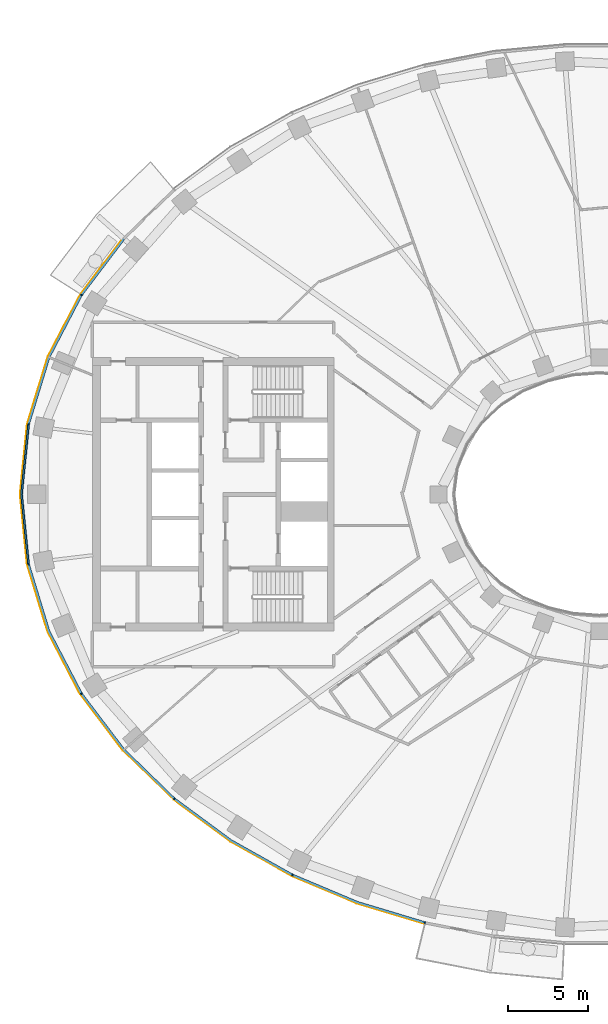
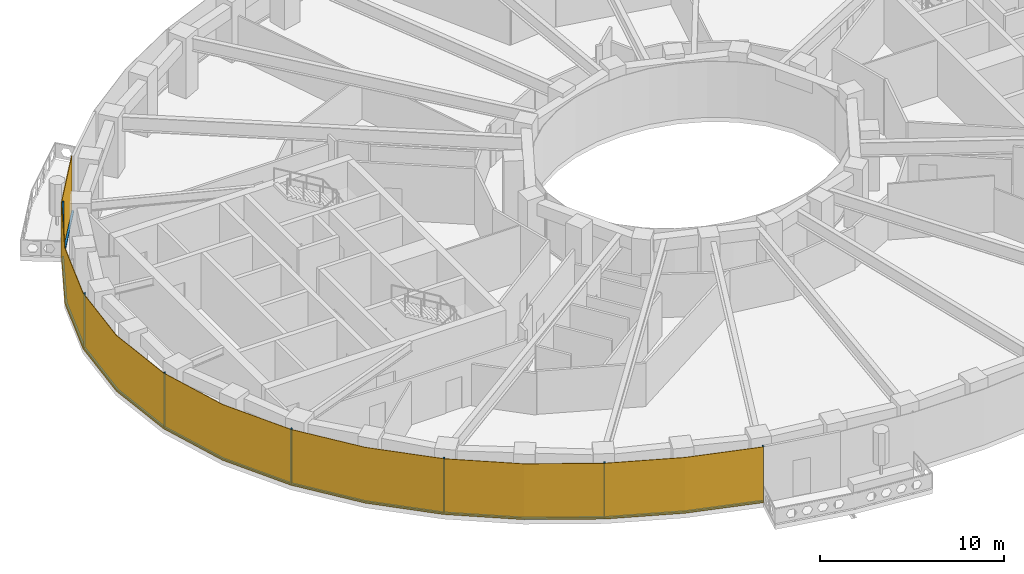
# One storey, part 8 of 16: 14 members, 1 curtain wall.
"""IFC4 building model written with IfcOpenShell, lengths in metres."""

from ifc_helpers import new_model, si_unit, direction, frame, origin, origin_2d, place, context, subcontext, project, spatial, polyline, rectangle, outline, extrude, material, layer, layer_set, material_profile, profile_set, type_object, element, aggregate, save


model = new_model("IFC4")

# Units and contexts
model_context = context("Model", 3, precision=1e-05, world=origin(), true_north=direction((0.0, 1.0)))
body_context = subcontext(model_context, "Body", "Model", "MODEL_VIEW")
ifc_project = project(units=[si_unit("LENGTHUNIT", "METRE"), si_unit("AREAUNIT", "SQUARE_METRE"), si_unit("VOLUMEUNIT", "CUBIC_METRE"), si_unit("PLANEANGLEUNIT", "RADIAN"), si_unit("MASSUNIT", "GRAM", prefix="KILO")], contexts=[model_context])

# Member
ifc_material_1 = material(Name="Aluminium 6063-T6 black anodised", Category="aluminium")
ifc_material_profile = material_profile(ifc_material_1, rectangle(XDim=0.1201171875, YDim=0.06005859375, at=origin_2d()), Name="120x60")
ifc_profile_set = profile_set([ifc_material_profile], Name="Aluminium 6063-T6 black anodised")
member_type_1 = type_object("IfcMemberType", Name="ENV-MULLION-A-120", PredefinedType="MULLION", material=ifc_profile_set)
site_placement = place(None, origin())
building_placement = place(site_placement, origin())
storey_placement = place(building_placement, frame((0.0, 0.0, 178.0)))
member_1_placement = place(storey_placement, frame((-32.177490234375, 12.385498046875, 0.0), z_axis=(0.0, 0.0, 1.0), x_axis=(0.844829880882, -0.53503501976, 0.0)))
member_1 = element("IfcMember", 1, at=member_1_placement, type_object=member_type_1, Name="Mullion A radial 21", PredefinedType="MULLION", context=body_context, shape_type="SweptSolid", body=[
    extrude(rectangle(XDim=0.1201171875, YDim=0.06005859375, at=origin_2d()), origin(), (0.0, 0.0, 1.0), 3.699951171875),
])

member_2_placement = place(storey_placement, frame((-35.470947265625, 4.340576171875, 0.0), z_axis=(0.0, 0.0, 1.0), x_axis=(0.980379083141, -0.19712141776, 0.0)))
member_2 = element("IfcMember", 2, at=member_2_placement, type_object=member_type_1, Name="Mullion A radial 23", PredefinedType="MULLION", context=body_context, shape_type="SweptSolid", body=[
    extrude(rectangle(XDim=0.1201171875, YDim=0.06005859375, at=origin_2d()), origin(), (0.0, 0.0, 1.0), 3.699951171875),
])

member_3_placement = place(storey_placement, frame((-35.470947265625, -4.340576171875, 0.0), z_axis=(0.0, 0.0, 1.0), x_axis=(0.980379083141, 0.19712141776, 0.0)))
member_3 = element("IfcMember", 3, at=member_3_placement, type_object=member_type_1, Name="Mullion A radial 25", PredefinedType="MULLION", context=body_context, shape_type="SweptSolid", body=[
    extrude(rectangle(XDim=0.1201171875, YDim=0.06005859375, at=origin_2d()), origin(), (0.0, 0.0, 1.0), 3.699951171875),
])

member_4_placement = place(storey_placement, frame((-32.177490234375, -12.385498046875, 0.0), z_axis=(0.0, 0.0, 1.0), x_axis=(0.844829880882, 0.53503501976, 0.0)))
member_4 = element("IfcMember", 4, at=member_4_placement, type_object=member_type_1, Name="Mullion A radial 27", PredefinedType="MULLION", context=body_context, shape_type="SweptSolid", body=[
    extrude(rectangle(XDim=0.1201171875, YDim=0.06005859375, at=origin_2d()), origin(), (0.0, 0.0, 1.0), 3.699951171875),
])

member_5_placement = place(storey_placement, frame((-26.403564453125, -18.9130859375, 0.0), z_axis=(0.0, 0.0, 1.0), x_axis=(0.646451313783, 0.762955240435, 0.0)))
member_5 = element("IfcMember", 5, at=member_5_placement, type_object=member_type_1, Name="Mullion A radial 29", PredefinedType="MULLION", context=body_context, shape_type="SweptSolid", body=[
    extrude(rectangle(XDim=0.1201171875, YDim=0.06005859375, at=origin_2d()), origin(), (0.0, 0.0, 1.0), 3.699951171875),
])

member_6_placement = place(storey_placement, frame((-19.06787109375, -23.6474609375, 0.0), z_axis=(0.0, 0.0, 1.0), x_axis=(0.439237769837, 0.898370848563, 0.0)))
member_6 = element("IfcMember", 6, at=member_6_placement, type_object=member_type_1, Name="Mullion A radial 31", PredefinedType="MULLION", context=body_context, shape_type="SweptSolid", body=[
    extrude(rectangle(XDim=0.1201171875, YDim=0.06005859375, at=origin_2d()), origin(), (0.0, 0.0, 1.0), 3.699951171875),
])

member_7_placement = place(storey_placement, frame((-10.84326171875, -26.60498046875, 0.0), z_axis=(0.0, 0.0, 1.0), x_axis=(0.239799081534, 0.970822538106, 0.0)))
member_7 = element("IfcMember", 7, at=member_7_placement, type_object=member_type_1, Name="Mullion A radial 33", PredefinedType="MULLION", context=body_context, shape_type="SweptSolid", body=[
    extrude(rectangle(XDim=0.1201171875, YDim=0.06005859375, at=origin_2d()), origin(), (0.0, 0.0, 1.0), 3.699951171875),
])

ifc_material_2 = material(Name="Aluminium 6063-T6 black anodised", Category="aluminium")
member_type_2 = type_object("IfcMemberType", Name="ENV-TRANSOM-A", PredefinedType="USERDEFINED", material=ifc_material_2)
member_8_placement = place(storey_placement, origin())
member_8 = element("IfcMember", 8, at=member_8_placement, type_object=member_type_2, Name="Transom A radial 20-21", ObjectType="TRANSOM", PredefinedType="USERDEFINED", context=body_context, shape_type="SweptSolid", body=[
    extrude(outline(polyline([(-29.595703125, 15.890869140625), (-32.211181640625, 12.43994140625), (-32.109375, 12.37548828125), (-29.505615234375, 15.811279296875), (-29.595703125, 15.890869140625)])), origin(), (0.0, 0.0, 1.0), 0.10009765625),
])

member_9_placement = place(storey_placement, origin())
member_9 = element("IfcMember", 9, at=member_9_placement, type_object=member_type_2, Name="Transom A radial 21-23", ObjectType="TRANSOM", PredefinedType="USERDEFINED", context=body_context, shape_type="SweptSolid", body=[
    extrude(outline(polyline([(-32.240966796875, 12.392578125), (-34.251220703125, 8.53662109375), (-35.521484375, 4.379150390625), (-35.4033203125, 4.355224609375), (-34.139892578125, 8.490966796875), (-32.139404296875, 12.328369140625), (-32.240966796875, 12.392578125)])), origin(), (0.0, 0.0, 1.0), 0.10009765625),
])

member_10_placement = place(storey_placement, origin())
member_10 = element("IfcMember", 10, at=member_10_placement, type_object=member_type_2, Name="Transom A radial 23-25", ObjectType="TRANSOM", PredefinedType="USERDEFINED", context=body_context, shape_type="SweptSolid", body=[
    extrude(outline(polyline([(-35.532470703125, 4.324462890625), (-35.9677734375, 0.0), (-35.532470703125, -4.324462890625), (-35.414306640625, -4.30078125), (-35.84716796875, 0.0), (-35.414306640625, 4.30078125), (-35.532470703125, 4.324462890625)])), origin(), (0.0, 0.0, 1.0), 0.10009765625),
])

member_11_placement = place(storey_placement, origin())
member_11 = element("IfcMember", 11, at=member_11_placement, type_object=member_type_2, Name="Transom A radial 25-27", ObjectType="TRANSOM", PredefinedType="USERDEFINED", context=body_context, shape_type="SweptSolid", body=[
    extrude(outline(polyline([(-35.521484375, -4.379150390625), (-34.251220703125, -8.53662109375), (-32.240966796875, -12.392578125), (-32.139404296875, -12.328369140625), (-34.139892578125, -8.490966796875), (-35.4033203125, -4.355224609375), (-35.521484375, -4.379150390625)])), origin(), (0.0, 0.0, 1.0), 0.10009765625),
])

member_12_placement = place(storey_placement, origin())
member_12 = element("IfcMember", 12, at=member_12_placement, type_object=member_type_2, Name="Transom A radial 27-29", ObjectType="TRANSOM", PredefinedType="USERDEFINED", context=body_context, shape_type="SweptSolid", body=[
    extrude(outline(polyline([(-32.211181640625, -12.43994140625), (-29.58349609375, -15.906982421875), (-26.46240234375, -18.939208984375), (-26.384765625, -18.847412109375), (-29.493408203125, -15.8271484375), (-32.109375, -12.37548828125), (-32.211181640625, -12.43994140625)])), origin(), (0.0, 0.0, 1.0), 0.10009765625),
])

member_13_placement = place(storey_placement, origin())
member_13 = element("IfcMember", 13, at=member_13_placement, type_object=member_type_2, Name="Transom A radial 29-31", ObjectType="TRANSOM", PredefinedType="USERDEFINED", context=body_context, shape_type="SweptSolid", body=[
    extrude(outline(polyline([(-26.419921875, -18.975341796875), (-22.9150390625, -21.556884765625), (-19.11865234375, -23.687744140625), (-19.06591796875, -23.57958984375), (-22.85009765625, -21.455810546875), (-26.342041015625, -18.883544921875), (-26.419921875, -18.975341796875)])), origin(), (0.0, 0.0, 1.0), 0.10009765625),
])

member_14_placement = place(storey_placement, origin())
member_14 = element("IfcMember", 14, at=member_14_placement, type_object=member_type_2, Name="Transom A radial 31-33", ObjectType="TRANSOM", PredefinedType="USERDEFINED", context=body_context, shape_type="SweptSolid", body=[
    extrude(outline(polyline([(-19.068359375, -23.71240234375), (-15.054443359375, -25.400146484375), (-10.884521484375, -26.655029296875), (-10.855712890625, -26.53857421875), (-15.013916015625, -25.287109375), (-19.015380859375, -23.604248046875), (-19.068359375, -23.71240234375)])), origin(), (0.0, 0.0, 1.0), 0.10009765625),
])

# Site, building, storey
site = spatial("IfcSite", under=ifc_project, at=site_placement, CompositionType="ELEMENT")
building = spatial("IfcBuilding", under=site, at=building_placement, Name="Noorbagh Ring Tower", CompositionType="ELEMENT")
storey = spatial("IfcBuildingStorey", under=building, at=storey_placement, Name="L41", CompositionType="ELEMENT", Elevation=178.0)

# Curtain wall
ifc_material_3 = material(Name="Glass dark tinted laminated", Category="glass")
ifc_layer = layer(ifc_material_3, 0.031982421875)
ifc_layer_set = layer_set([ifc_layer], Name="Glass dark tinted laminated")
curtain_wall_type = type_object("IfcCurtainWallType", Name="ENV-CW-A", PredefinedType="NOTDEFINED", material=ifc_layer_set)
curtain_wall_placement = place(storey_placement, origin())
curtain_wall = element("IfcCurtainWall", 15, at=curtain_wall_placement, inside=storey, type_object=curtain_wall_type, Name="Curtain wall A R20", PredefinedType="NOTDEFINED", context=body_context, shape_type="SweptSolid", body=[
    extrude(outline(polyline([(-29.61962890625, 15.912109375), (-32.255126953125, 12.434814453125), (-34.281005859375, 8.548828125), (-35.561279296875, 4.358642578125), (-36.0, 0.0), (-35.561279296875, -4.358642578125), (-34.281005859375, -8.548828125), (-32.255126953125, -12.434814453125), (-29.607666015625, -15.927978515625), (-26.463134765625, -18.9833984375), (-22.9326171875, -21.583740234375), (-19.108154296875, -23.730224609375), (-15.065185546875, -25.430419921875), (-10.884521484375, -26.6884765625), (-10.876708984375, -26.657470703125), (-15.054443359375, -25.400146484375), (-19.093994140625, -23.701416015625), (-22.9150390625, -21.556884765625), (-26.4423828125, -18.958740234375), (-29.58349609375, -15.906982421875), (-32.22802734375, -12.41748046875), (-34.251220703125, -8.53662109375), (-35.529541015625, -4.352294921875), (-35.9677734375, 0.0), (-35.529541015625, 4.352294921875), (-34.251220703125, 8.53662109375), (-32.22802734375, 12.41748046875), (-29.595703125, 15.890869140625), (-29.61962890625, 15.912109375)])), origin(), (0.0, 0.0, 1.0), 3.699951171875),
])

aggregate(curtain_wall, [member_1, member_2, member_3, member_4, member_5, member_6, member_7, member_8, member_9, member_10, member_11, member_12, member_13, member_14])

save(model, "model.ifc")
